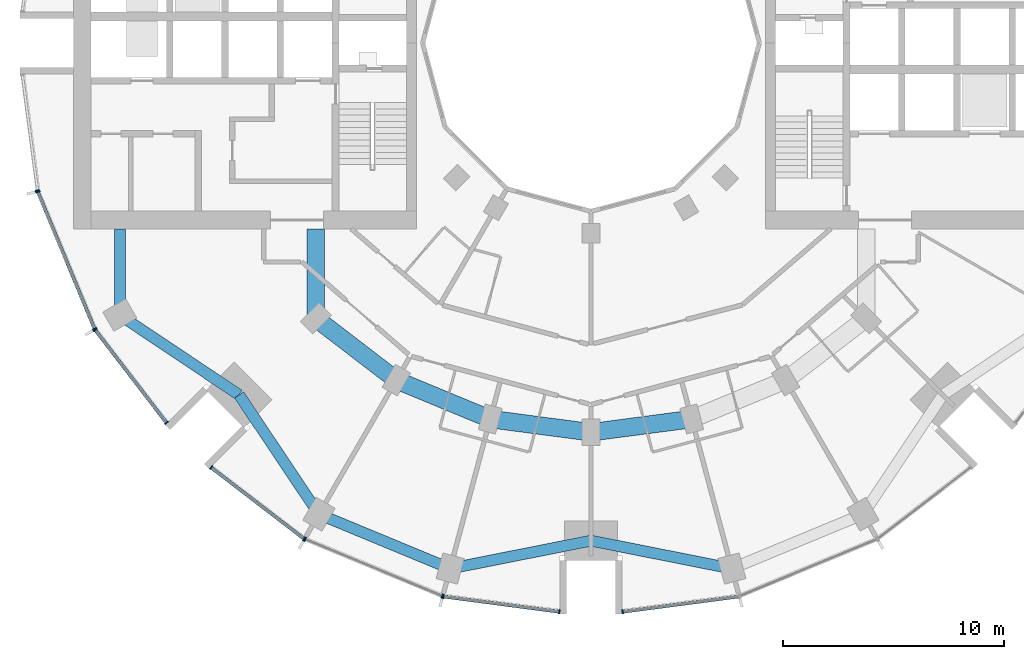
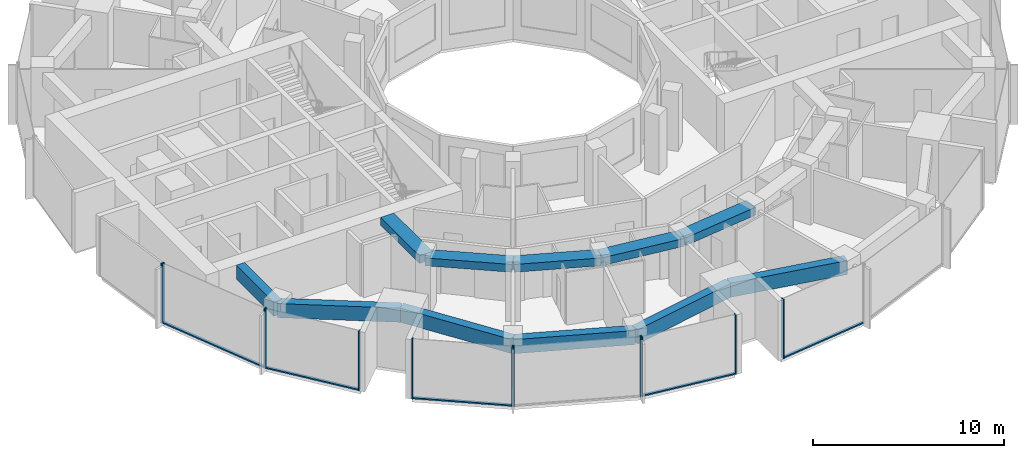
# One storey, part 2 of 15: 17 members, 11 beams, 7 elements without a shape of their own.
"""IFC4 building model written with IfcOpenShell, lengths in metres."""

from ifc_helpers import new_model, si_unit, direction, frame, origin, origin_2d, place, context, subcontext, project, spatial, rectangle, extrude, material, layer, layer_set, material_profile, profile_set, type_object, element, aggregate, save


model = new_model("IFC4")

# Units and contexts
model_context = context("Model", 3, precision=1e-05, world=origin(), true_north=direction((0.0, 1.0)))
body_context = subcontext(model_context, "Body", "Model", "MODEL_VIEW")
ifc_project = project(units=[si_unit("LENGTHUNIT", "METRE"), si_unit("AREAUNIT", "SQUARE_METRE"), si_unit("VOLUMEUNIT", "CUBIC_METRE"), si_unit("PLANEANGLEUNIT", "RADIAN"), si_unit("MASSUNIT", "GRAM", prefix="KILO")], contexts=[model_context])

# Site, building, storey
site_placement = place(None, origin())
site = spatial("IfcSite", under=ifc_project, at=site_placement, CompositionType="ELEMENT")
building_placement = place(site_placement, origin())
building = spatial("IfcBuilding", under=site, at=building_placement, Name="Torre Brocal", CompositionType="ELEMENT")
storey_placement = place(building_placement, frame((0.0, 0.0, 66.800048828125)))
storey = spatial("IfcBuildingStorey", under=building, at=storey_placement, Name="L15", CompositionType="ELEMENT", Elevation=66.800048828125)

# Curtain wall, members
ifc_material_1 = material(Name="Aluminium and glass", Category="aluminium")
ifc_layer_1 = layer(ifc_material_1, 0.199951171875)
ifc_layer_set_1 = layer_set([ifc_layer_1], Name="Aluminium and glass")
curtain_wall_type_1 = type_object("IfcCurtainWallType", Name="CW-1 CURTAIN WALL 3800 HIGH", PredefinedType="NOTDEFINED", material=ifc_layer_set_1)
curtain_wall_1_placement = place(storey_placement, origin())
curtain_wall_1 = element("IfcCurtainWall", 1, at=curtain_wall_1_placement, inside=storey, type_object=curtain_wall_type_1, Name="CW-1 RUN 14", PredefinedType="NOTDEFINED")
ifc_material_2 = material(Name="Aluminium, dark anodised", Category="aluminium")
ifc_material_profile_1 = material_profile(ifc_material_2, rectangle(XDim=0.199951171875, YDim=0.06005859375, at=origin_2d()), Name="CW-1 MULLION 60X200")
ifc_profile_set_1 = profile_set([ifc_material_profile_1], Name="Aluminium, dark anodised")
member_type_1 = type_object("IfcMemberType", Name="CW-1 MULLION 60X200", PredefinedType="MULLION", material=ifc_profile_set_1)
member_1_placement = place(storey_placement, frame((54.994873046875, 68.26904296875, 0.0), z_axis=(0.0, 0.0, 1.0), x_axis=(0.923879532525, 0.382683432333, 0.0)))
member_1 = element("IfcMember", 2, at=member_1_placement, type_object=member_type_1, Name="CW1-1 mullion 1", PredefinedType="MULLION", context=body_context, shape_type="SweptSolid", body=[
    extrude(rectangle(XDim=0.199951171875, YDim=0.06005859375, at=origin_2d()), origin(), (0.0, 0.0, 1.0), 3.800048828125),
])
member_2_placement = place(storey_placement, frame((57.559326171875, 62.078125, 0.0), z_axis=(0.0, 0.0, 1.0), x_axis=(0.923879532525, 0.382683432333, 0.0)))
member_2 = element("IfcMember", 3, at=member_2_placement, type_object=member_type_1, Name="CW1-1 mullion 2", PredefinedType="MULLION", context=body_context, shape_type="SweptSolid", body=[
    extrude(rectangle(XDim=0.199951171875, YDim=0.06005859375, at=origin_2d()), origin(), (0.0, 0.0, 1.0), 3.800048828125),
])

curtain_wall_2_placement = place(storey_placement, origin())
curtain_wall_2 = element("IfcCurtainWall", 4, at=curtain_wall_2_placement, inside=storey, type_object=curtain_wall_type_1, Name="CW-1 RUN 15", PredefinedType="NOTDEFINED")
member_3_placement = place(storey_placement, frame((57.5888671875, 62.026611328125, 0.0), z_axis=(0.0, 0.0, 1.0), x_axis=(0.793353340259, 0.60876142905, 0.0)))
member_3 = element("IfcMember", 5, at=member_3_placement, type_object=member_type_1, Name="CW1-1 mullion 1", PredefinedType="MULLION", context=body_context, shape_type="SweptSolid", body=[
    extrude(rectangle(XDim=0.199951171875, YDim=0.06005859375, at=origin_2d()), origin(), (0.0, 0.0, 1.0), 3.800048828125),
])
member_4_placement = place(storey_placement, frame((60.80859375, 57.83056640625, 0.0), z_axis=(0.0, 0.0, 1.0), x_axis=(0.793353340259, 0.60876142905, 0.0)))
member_4 = element("IfcMember", 6, at=member_4_placement, type_object=member_type_1, Name="CW1-1 mullion 2", PredefinedType="MULLION", context=body_context, shape_type="SweptSolid", body=[
    extrude(rectangle(XDim=0.199951171875, YDim=0.06005859375, at=origin_2d()), origin(), (0.0, 0.0, 1.0), 3.800048828125),
])

curtain_wall_3_placement = place(storey_placement, origin())
curtain_wall_3 = element("IfcCurtainWall", 7, at=curtain_wall_3_placement, inside=storey, type_object=curtain_wall_type_1, Name="CW-1 RUN 16", PredefinedType="NOTDEFINED")
member_5_placement = place(storey_placement, frame((62.83056640625, 55.80859375, 0.0), z_axis=(0.0, 0.0, 1.0), x_axis=(0.60876142905, 0.793353340259, 0.0)))
member_5 = element("IfcMember", 8, at=member_5_placement, type_object=member_type_1, Name="CW1-1 mullion 1", PredefinedType="MULLION", context=body_context, shape_type="SweptSolid", body=[
    extrude(rectangle(XDim=0.199951171875, YDim=0.06005859375, at=origin_2d()), origin(), (0.0, 0.0, 1.0), 3.800048828125),
])
member_6_placement = place(storey_placement, frame((67.026611328125, 52.5888671875, 0.0), z_axis=(0.0, 0.0, 1.0), x_axis=(0.60876142905, 0.793353340259, 0.0)))
member_6 = element("IfcMember", 9, at=member_6_placement, type_object=member_type_1, Name="CW1-1 mullion 2", PredefinedType="MULLION", context=body_context, shape_type="SweptSolid", body=[
    extrude(rectangle(XDim=0.199951171875, YDim=0.06005859375, at=origin_2d()), origin(), (0.0, 0.0, 1.0), 3.800048828125),
])

curtain_wall_4_placement = place(storey_placement, origin())
curtain_wall_4 = element("IfcCurtainWall", 10, at=curtain_wall_4_placement, inside=storey, type_object=curtain_wall_type_1, Name="CW-1 RUN 17", PredefinedType="NOTDEFINED")
member_7_placement = place(storey_placement, frame((67.078125, 52.559326171875, 0.0), z_axis=(0.0, 0.0, 1.0), x_axis=(0.382683432333, 0.923879532525, 0.0)))
member_7 = element("IfcMember", 11, at=member_7_placement, type_object=member_type_1, Name="CW1-1 mullion 1", PredefinedType="MULLION", context=body_context, shape_type="SweptSolid", body=[
    extrude(rectangle(XDim=0.199951171875, YDim=0.06005859375, at=origin_2d()), origin(), (0.0, 0.0, 1.0), 3.800048828125),
])
member_8_placement = place(storey_placement, frame((73.26904296875, 49.994873046875, 0.0), z_axis=(0.0, 0.0, 1.0), x_axis=(0.382683432333, 0.923879532525, 0.0)))
member_8 = element("IfcMember", 12, at=member_8_placement, type_object=member_type_1, Name="CW1-1 mullion 2", PredefinedType="MULLION", context=body_context, shape_type="SweptSolid", body=[
    extrude(rectangle(XDim=0.199951171875, YDim=0.06005859375, at=origin_2d()), origin(), (0.0, 0.0, 1.0), 3.800048828125),
])
aggregate(curtain_wall_4, [member_7, member_8])

curtain_wall_5_placement = place(storey_placement, origin())
curtain_wall_5 = element("IfcCurtainWall", 13, at=curtain_wall_5_placement, inside=storey, type_object=curtain_wall_type_1, Name="CW-1 RUN 18", PredefinedType="NOTDEFINED")
member_9_placement = place(storey_placement, frame((73.32666015625, 49.9794921875, 0.0), z_axis=(0.0, 0.0, 1.0), x_axis=(0.13052619222, 0.991444861374, 0.0)))
member_9 = element("IfcMember", 14, at=member_9_placement, type_object=member_type_1, Name="CW1-1 mullion 1", PredefinedType="MULLION", context=body_context, shape_type="SweptSolid", body=[
    extrude(rectangle(XDim=0.199951171875, YDim=0.06005859375, at=origin_2d()), origin(), (0.0, 0.0, 1.0), 3.800048828125),
])
member_10_placement = place(storey_placement, frame((78.5703125, 49.2890625, 0.0), z_axis=(0.0, 0.0, 1.0), x_axis=(0.13052619222, 0.991444861374, 0.0)))
member_10 = element("IfcMember", 15, at=member_10_placement, type_object=member_type_1, Name="CW1-1 mullion 2", PredefinedType="MULLION", context=body_context, shape_type="SweptSolid", body=[
    extrude(rectangle(XDim=0.199951171875, YDim=0.06005859375, at=origin_2d()), origin(), (0.0, 0.0, 1.0), 3.800048828125),
])

# Curtain wall, member
curtain_wall_6_placement = place(storey_placement, origin())
curtain_wall_6 = element("IfcCurtainWall", 16, at=curtain_wall_6_placement, inside=storey, type_object=curtain_wall_type_1, Name="CW-1 RUN 19", PredefinedType="NOTDEFINED")
member_11_placement = place(storey_placement, frame((81.4296875, 49.2890625, 0.0), z_axis=(0.0, 0.0, 1.0), x_axis=(-0.13052619222, 0.991444861374, 0.0)))
member_11 = element("IfcMember", 17, at=member_11_placement, type_object=member_type_1, Name="CW1-1 mullion 1", PredefinedType="MULLION", context=body_context, shape_type="SweptSolid", body=[
    extrude(rectangle(XDim=0.199951171875, YDim=0.06005859375, at=origin_2d()), origin(), (0.0, 0.0, 1.0), 3.800048828125),
])

# Member
ifc_material_3 = material(Name="Aluminium, dark anodised", Category="aluminium")
ifc_material_profile_2 = material_profile(ifc_material_3, rectangle(XDim=0.159912109375, YDim=0.080078125, at=origin_2d()), Name="CW-1 TRANSOM 160X80")
ifc_profile_set_2 = profile_set([ifc_material_profile_2], Name="Aluminium, dark anodised")
member_type_2 = type_object("IfcMemberType", Name="CW-1 TRANSOM 160X80", PredefinedType="USERDEFINED", material=ifc_profile_set_2)
member_12_placement = place(storey_placement, frame((55.00634765625, 68.241455078125, 0.0400390625), z_axis=(0.38266457234, -0.923887344364, 0.0), x_axis=(0.923887344364, 0.38266457234, 0.0)))
member_12 = element("IfcMember", 18, at=member_12_placement, type_object=member_type_2, Name="CW1-1 transom 1.1", ObjectType="TRANSOM", PredefinedType="USERDEFINED", context=body_context, shape_type="SweptSolid", body=[
    extrude(rectangle(XDim=0.159912109375, YDim=0.080078125, at=origin_2d()), origin(), (0.0, 0.0, 1.0), 6.640869140625),
])

aggregate(curtain_wall_1, [member_1, member_2, member_12])

member_13_placement = place(storey_placement, frame((57.607177734375, 62.0029296875, 0.0400390625), z_axis=(0.60874908096, -0.79336281513, 0.0), x_axis=(0.79336281513, 0.60874908096, 0.0)))
member_13 = element("IfcMember", 19, at=member_13_placement, type_object=member_type_2, Name="CW1-1 transom 1.1", ObjectType="TRANSOM", PredefinedType="USERDEFINED", context=body_context, shape_type="SweptSolid", body=[
    extrude(rectangle(XDim=0.159912109375, YDim=0.080078125, at=origin_2d()), origin(), (0.0, 0.0, 1.0), 5.22900390625),
])

aggregate(curtain_wall_2, [member_3, member_4, member_13])

member_14_placement = place(storey_placement, frame((62.8544921875, 55.790283203125, 0.0400390625), z_axis=(0.79336281513, -0.60874908096, 0.0), x_axis=(0.60874908096, 0.79336281513, 0.0)))
member_14 = element("IfcMember", 20, at=member_14_placement, type_object=member_type_2, Name="CW1-1 transom 1.1", ObjectType="TRANSOM", PredefinedType="USERDEFINED", context=body_context, shape_type="SweptSolid", body=[
    extrude(rectangle(XDim=0.159912109375, YDim=0.080078125, at=origin_2d()), origin(), (0.0, 0.0, 1.0), 5.22900390625),
])

aggregate(curtain_wall_3, [member_5, member_6, member_14])

member_15_placement = place(storey_placement, frame((73.356201171875, 49.9755859375, 0.0400390625), z_axis=(0.991442690863, -0.130542677827, 0.0), x_axis=(0.130542677827, 0.991442690863, 0.0)))
member_15 = element("IfcMember", 21, at=member_15_placement, type_object=member_type_2, Name="CW1-1 transom 1.1", ObjectType="TRANSOM", PredefinedType="USERDEFINED", context=body_context, shape_type="SweptSolid", body=[
    extrude(rectangle(XDim=0.159912109375, YDim=0.080078125, at=origin_2d()), origin(), (0.0, 0.0, 1.0), 5.22900390625),
])

aggregate(curtain_wall_5, [member_9, member_10, member_15])

member_16_placement = place(storey_placement, frame((81.45947265625, 49.29296875, 0.0400390625), z_axis=(0.991442690863, 0.130542677827, 0.0), x_axis=(-0.130542677827, 0.991442690863, 0.0)))
member_16 = element("IfcMember", 22, at=member_16_placement, type_object=member_type_2, Name="CW1-1 transom 1.1", ObjectType="TRANSOM", PredefinedType="USERDEFINED", context=body_context, shape_type="SweptSolid", body=[
    extrude(rectangle(XDim=0.159912109375, YDim=0.080078125, at=origin_2d()), origin(), (0.0, 0.0, 1.0), 5.22900390625),
])

aggregate(curtain_wall_6, [member_11, member_16])

# Curtain wall, member
ifc_material_4 = material(Name="Aluminium and glass", Category="aluminium")
ifc_layer_2 = layer(ifc_material_4, 0.199951171875)
ifc_layer_set_2 = layer_set([ifc_layer_2], Name="Aluminium and glass")
curtain_wall_type_2 = type_object("IfcCurtainWallType", Name="CW-1B CURTAIN WALL 3800 HIGH", PredefinedType="NOTDEFINED", material=ifc_layer_set_2)
curtain_wall_7_placement = place(storey_placement, origin())
curtain_wall_7 = element("IfcCurtainWall", 23, at=curtain_wall_7_placement, inside=storey, type_object=curtain_wall_type_2, Name="CW-1B RUN 13", PredefinedType="NOTDEFINED")
ifc_material_5 = material(Name="Aluminium, dark anodised", Category="aluminium")
ifc_material_profile_3 = material_profile(ifc_material_5, rectangle(XDim=0.199951171875, YDim=0.06005859375, at=origin_2d()), Name="CW-1B MULLION 60X200")
ifc_profile_set_3 = profile_set([ifc_material_profile_3], Name="Aluminium, dark anodised")
member_type_3 = type_object("IfcMemberType", Name="CW-1B MULLION 60X200", PredefinedType="MULLION", material=ifc_profile_set_3)
member_17_placement = place(storey_placement, frame((54.9794921875, 68.32666015625, 0.0), z_axis=(0.0, 0.0, 1.0), x_axis=(0.991444861374, 0.13052619222, 0.0)))
member_17 = element("IfcMember", 24, at=member_17_placement, type_object=member_type_3, Name="CW1B-1 mullion 2", PredefinedType="MULLION", context=body_context, shape_type="SweptSolid", body=[
    extrude(rectangle(XDim=0.199951171875, YDim=0.06005859375, at=origin_2d()), origin(), (0.0, 0.0, 1.0), 3.800048828125),
])
aggregate(curtain_wall_7, [member_17])

# Beams
ifc_material_6 = material(Name="Concrete C50", Category="concrete")
ifc_material_profile_4 = material_profile(ifc_material_6, rectangle(XDim=0.800048828125, YDim=0.5, at=origin_2d()), Name="RC 800X500")
ifc_profile_set_4 = profile_set([ifc_material_profile_4], Name="Concrete C50")
beam_type_1 = type_object("IfcBeamType", Name="RC BEAM 800X500 C50 TOP 3480", PredefinedType="BEAM", material=ifc_profile_set_4)
beam_1_placement = place(storey_placement, frame((67.554931640625, 62.554931640625, 3.22998046875), z_axis=(0.0, 1.0, 0.0), x_axis=(-1.0, 0.0, 0.0)))
element("IfcBeam", 25, at=beam_1_placement, inside=storey, type_object=beam_type_1, Name="Beam BT-19", PredefinedType="BEAM", context=body_context, shape_type="SweptSolid", body=[
    extrude(rectangle(XDim=0.800048828125, YDim=0.5, at=origin_2d()), origin(), (0.0, 0.0, 1.0), 4.045166015625),
])
beam_2_placement = place(storey_placement, frame((67.554931640625, 62.554931640625, 3.22998046875), z_axis=(0.793358265959, -0.6087550097, 0.0), x_axis=(0.6087550097, 0.793358265959, 0.0)))
element("IfcBeam", 26, at=beam_2_placement, inside=storey, type_object=beam_type_1, Name="Beam BT-19", PredefinedType="BEAM", context=body_context, shape_type="SweptSolid", body=[
    extrude(rectangle(XDim=0.800048828125, YDim=0.5, at=origin_2d()), origin(), (0.0, 0.0, 1.0), 4.594482421875),
])
beam_3_placement = place(storey_placement, frame((71.199951171875, 59.758056640625, 3.22998046875), z_axis=(0.923878240166, -0.382686552348, 0.0), x_axis=(0.382686552348, 0.923878240166, 0.0)))
element("IfcBeam", 27, at=beam_3_placement, inside=storey, type_object=beam_type_1, Name="Beam BT-19", PredefinedType="BEAM", context=body_context, shape_type="SweptSolid", body=[
    extrude(rectangle(XDim=0.800048828125, YDim=0.5, at=origin_2d()), origin(), (0.0, 0.0, 1.0), 4.5947265625),
])
for number, where, z_axis, x_axis, name in (
    (28, (75.44482421875, 57.999755859375, 3.22998046875), (0.991440544449, -0.130558978332, 0.0), (0.130558978332, 0.991440544449, 0.0), "Beam BT-19"),
    (29, (80.0, 57.39990234375, 3.22998046875), (0.991440544449, 0.130558978332, 0.0), (-0.130558978332, 0.991440544449, 0.0), "Beam BT-19"),
):
    element("IfcBeam", number, at=place(storey_placement, frame(where, z_axis=z_axis, x_axis=x_axis)), inside=storey, type_object=beam_type_1, Name=name, PredefinedType="BEAM", context=body_context, shape_type="SweptSolid", body=[
        extrude(rectangle(XDim=0.800048828125, YDim=0.5, at=origin_2d()), origin(), (0.0, 0.0, 1.0), 4.594482421875),
    ])
ifc_material_7 = material(Name="Concrete C50", Category="concrete")
ifc_material_profile_5 = material_profile(ifc_material_7, rectangle(XDim=0.5, YDim=0.89990234375, at=origin_2d()), Name="RC 500X900")
ifc_profile_set_5 = profile_set([ifc_material_profile_5], Name="Concrete C50")
beam_type_2 = type_object("IfcBeamType", Name="RC SPANDREL BEAM 500X900 C50 TOP 3480", PredefinedType="SPANDREL", material=ifc_profile_set_5)
beam_4_placement = place(storey_placement, frame((58.69580078125, 62.699951171875, 3.030029296875), z_axis=(0.0, 1.0, 0.0), x_axis=(-1.0, 0.0, 0.0)))
element("IfcBeam", 30, at=beam_4_placement, inside=storey, type_object=beam_type_2, Name="Beam BT-20", PredefinedType="SPANDREL", context=body_context, shape_type="SweptSolid", body=[
    extrude(rectangle(XDim=0.5, YDim=0.89990234375, at=origin_2d()), origin(), (0.0, 0.0, 1.0), 3.900146484375),
])
for number, where, z_axis, x_axis, name in (
    (31, (58.69580078125, 62.699951171875, 3.030029296875), (0.831076844476, -0.556157602282, 0.0), (0.556157602282, 0.831076844476, 0.0), "Beam BT-20"),
    (32, (64.090087890625, 59.090087890625, 3.030029296875), (0.556157602282, -0.831076844476, 0.0), (0.831076844476, 0.556157602282, 0.0), "Beam BT-20"),
):
    element("IfcBeam", number, at=place(storey_placement, frame(where, z_axis=z_axis, x_axis=x_axis)), inside=storey, type_object=beam_type_2, Name=name, PredefinedType="SPANDREL", context=body_context, shape_type="SweptSolid", body=[
        extrude(rectangle(XDim=0.5, YDim=0.89990234375, at=origin_2d()), origin(), (0.0, 0.0, 1.0), 6.49072265625),
    ])
beam_5_placement = place(storey_placement, frame((67.699951171875, 53.69580078125, 3.030029296875), z_axis=(0.923882462513, -0.382676358639, 0.0), x_axis=(0.382676358639, 0.923882462513, 0.0)))
element("IfcBeam", 33, at=beam_5_placement, inside=storey, type_object=beam_type_2, Name="Beam BT-20", PredefinedType="SPANDREL", context=body_context, shape_type="SweptSolid", body=[
    extrude(rectangle(XDim=0.5, YDim=0.89990234375, at=origin_2d()), origin(), (0.0, 0.0, 1.0), 6.421875),
])
for number, where, z_axis, x_axis, name in (
    (34, (73.633056640625, 51.23828125, 3.030029296875), (0.980924907484, 0.194387051723, 0.0), (-0.194387051723, 0.980924907484, 0.0), "Beam BT-20"),
    (35, (80.0, 52.5, 3.030029296875), (0.980924907484, -0.194387051723, 0.0), (0.194387051723, 0.980924907484, 0.0), "Beam BT-20"),
):
    element("IfcBeam", number, at=place(storey_placement, frame(where, z_axis=z_axis, x_axis=x_axis)), inside=storey, type_object=beam_type_2, Name=name, PredefinedType="SPANDREL", context=body_context, shape_type="SweptSolid", body=[
        extrude(rectangle(XDim=0.5, YDim=0.89990234375, at=origin_2d()), origin(), (0.0, 0.0, 1.0), 6.49072265625),
    ])

save(model, "model.ifc")
